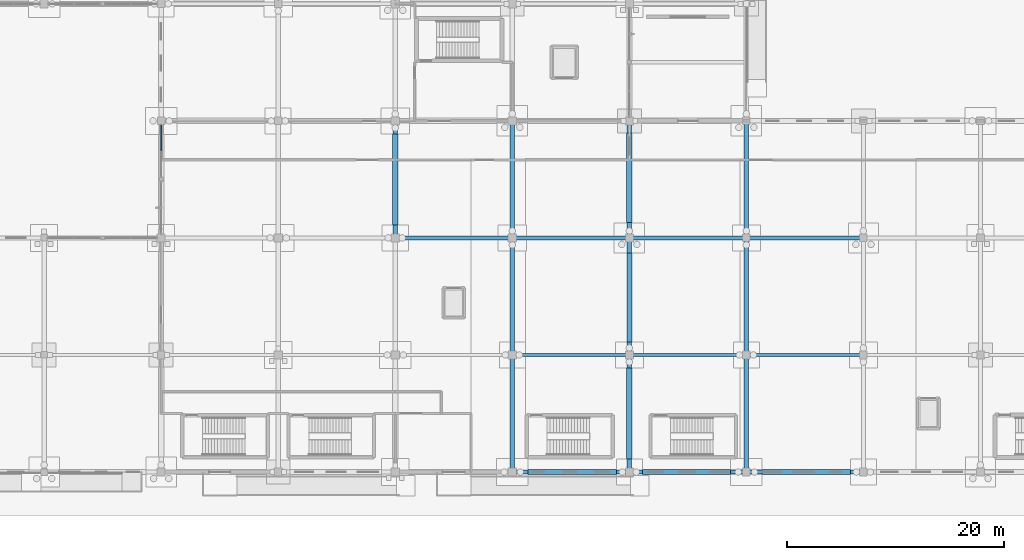
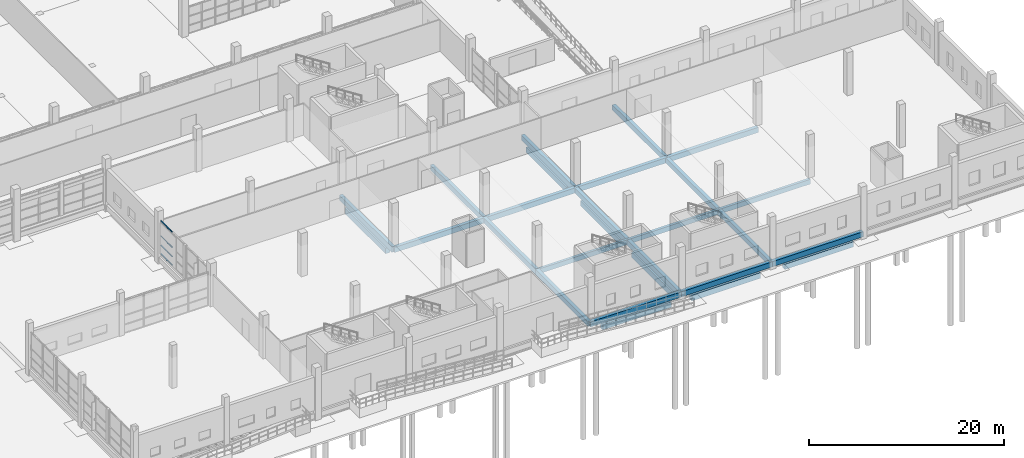
# One storey, part 60 of 138: 27 beams, 4 members, 1 element without a shape of its own.
"""IFC4 building model written with IfcOpenShell, lengths in metres."""

from ifc_helpers import new_model, si_unit, direction, frame, origin, origin_2d, place, context, subcontext, project, spatial, rectangle, extrude, material, material_profile, profile_set, type_object, element, aggregate, save


model = new_model("IFC4")

# Units and contexts
model_context = context("Model", 3, precision=1e-05, world=origin(), true_north=direction((0.0, 1.0)))
body_context = subcontext(model_context, "Body", "Model", "MODEL_VIEW")
ifc_project = project(units=[si_unit("LENGTHUNIT", "METRE"), si_unit("AREAUNIT", "SQUARE_METRE"), si_unit("VOLUMEUNIT", "CUBIC_METRE"), si_unit("PLANEANGLEUNIT", "RADIAN"), si_unit("MASSUNIT", "GRAM", prefix="KILO")], contexts=[model_context])

# Site, building, storey
site_placement = place(None, origin())
site = spatial("IfcSite", under=ifc_project, at=site_placement, CompositionType="ELEMENT")
building_placement = place(site_placement, origin())
building = spatial("IfcBuilding", under=site, at=building_placement, Name="Zwinboog Wholesale Market", CompositionType="ELEMENT")
storey_placement = place(building_placement, origin())
storey = spatial("IfcBuildingStorey", under=building, at=storey_placement, Name="L00", CompositionType="ELEMENT", Elevation=0.0)

# Beams
ifc_material_1 = material(Name="Precast concrete C45/55", Category="concrete")
ifc_material_profile_1 = material_profile(ifc_material_1, rectangle(XDim=0.39990234375, YDim=0.64990234375, at=origin_2d()), Name="PC 400x650")
ifc_profile_set_1 = profile_set([ifc_material_profile_1], Name="Precast concrete C45/55")
beam_type_1 = type_object("IfcBeamType", Name="BT-05", PredefinedType="BEAM", material=ifc_profile_set_1)
for number, where, z_axis, x_axis, name in (
    (1, (162.0, 0.0, -0.680908203125), (1.0, 0.0, 0.0), (0.0, 1.0, 0.0), "BG-05 (BMG-L00-1620-0000-0010)"),
    (2, (172.800048828125, 0.0, -0.680908203125), (1.0, 0.0, 0.0), (0.0, 1.0, 0.0), "BG-05 (BMG-L00-1728-0000-0011)"),
):
    element("IfcBeam", number, at=place(storey_placement, frame(where, z_axis=z_axis, x_axis=x_axis)), inside=storey, type_object=beam_type_1, Name=name, PredefinedType="BEAM", context=body_context, shape_type="SweptSolid", body=[
        extrude(rectangle(XDim=0.39990234375, YDim=0.64990234375, at=origin_2d()), origin(), (0.0, 0.0, 1.0), 10.800048828125),
    ])
beam_1_placement = place(storey_placement, frame((183.60009765625, 0.0, -0.680908203125), z_axis=(1.0, 0.0, 0.0), x_axis=(0.0, 1.0, 0.0)))
element("IfcBeam", 3, at=beam_1_placement, inside=storey, type_object=beam_type_1, Name="BG-05 (BMG-L00-1836-0000-0012)", PredefinedType="BEAM", context=body_context, shape_type="SweptSolid", body=[
    extrude(rectangle(XDim=0.39990234375, YDim=0.64990234375, at=origin_2d()), origin(), (0.0, 0.0, 1.0), 10.7998046875),
])
for number, where, z_axis, x_axis, name in (
    (4, (151.199951171875, 21.60009765625, -0.6669921875), (1.0, 0.0, 0.0), (0.0, 1.0, 0.0), "BG-05 (BMG-L00-1512-0216-0037)"),
    (5, (162.0, 21.60009765625, -0.680908203125), (1.0, 0.0, 0.0), (0.0, 1.0, 0.0), "BG-05 (BMG-L00-1620-0216-0038)"),
    (6, (172.800048828125, 21.60009765625, -0.680908203125), (1.0, 0.0, 0.0), (0.0, 1.0, 0.0), "BG-05 (BMG-L00-1728-0216-0039)"),
):
    element("IfcBeam", number, at=place(storey_placement, frame(where, z_axis=z_axis, x_axis=x_axis)), inside=storey, type_object=beam_type_1, Name=name, PredefinedType="BEAM", context=body_context, shape_type="SweptSolid", body=[
        extrude(rectangle(XDim=0.39990234375, YDim=0.64990234375, at=origin_2d()), origin(), (0.0, 0.0, 1.0), 10.800048828125),
    ])
for number, where, z_axis, x_axis, name in (
    (7, (183.60009765625, 21.60009765625, -0.680908203125), (1.0, 0.0, 0.0), (0.0, 1.0, 0.0), "BG-05 (BMG-L00-1836-0216-0040)"),
    (8, (151.199951171875, 21.60009765625, -0.6669921875), (0.0, 1.0, 0.0), (-1.0, 0.0, 0.0), "BG-05 (BMG-L00-1512-0216-0355)"),
):
    element("IfcBeam", number, at=place(storey_placement, frame(where, z_axis=z_axis, x_axis=x_axis)), inside=storey, type_object=beam_type_1, Name=name, PredefinedType="BEAM", context=body_context, shape_type="SweptSolid", body=[
        extrude(rectangle(XDim=0.39990234375, YDim=0.64990234375, at=origin_2d()), origin(), (0.0, 0.0, 1.0), 10.7998046875),
    ])
for number, where, z_axis, x_axis, name in (
    (9, (162.0, 0.0, -0.659912109375), (0.0, 1.0, 0.0), (-1.0, 0.0, 0.0), "BG-05 (BMG-L00-1620-0000-0365)"),
    (10, (162.0, 10.800048828125, -0.659912109375), (0.0, 1.0, 0.0), (-1.0, 0.0, 0.0), "BG-05 (BMG-L00-1620-0108-0366)"),
):
    element("IfcBeam", number, at=place(storey_placement, frame(where, z_axis=z_axis, x_axis=x_axis)), inside=storey, type_object=beam_type_1, Name=name, PredefinedType="BEAM", context=body_context, shape_type="SweptSolid", body=[
        extrude(rectangle(XDim=0.39990234375, YDim=0.64990234375, at=origin_2d()), origin(), (0.0, 0.0, 1.0), 10.800048828125),
    ])
beam_2_placement = place(storey_placement, frame((162.0, 21.60009765625, -0.659912109375), z_axis=(0.0, 1.0, 0.0), x_axis=(-1.0, 0.0, 0.0)))
element("IfcBeam", 11, at=beam_2_placement, inside=storey, type_object=beam_type_1, Name="BG-05 (BMG-L00-1620-0216-0367)", PredefinedType="BEAM", context=body_context, shape_type="SweptSolid", body=[
    extrude(rectangle(XDim=0.39990234375, YDim=0.64990234375, at=origin_2d()), origin(), (0.0, 0.0, 1.0), 10.7998046875),
])
for number, where, z_axis, x_axis, name in (
    (12, (172.800048828125, 0.0, -0.680908203125), (0.0, 1.0, 0.0), (-1.0, 0.0, 0.0), "BG-05 (BMG-L00-1728-0000-0377)"),
    (13, (172.800048828125, 10.800048828125, -0.680908203125), (0.0, 1.0, 0.0), (-1.0, 0.0, 0.0), "BG-05 (BMG-L00-1728-0108-0378)"),
):
    element("IfcBeam", number, at=place(storey_placement, frame(where, z_axis=z_axis, x_axis=x_axis)), inside=storey, type_object=beam_type_1, Name=name, PredefinedType="BEAM", context=body_context, shape_type="SweptSolid", body=[
        extrude(rectangle(XDim=0.39990234375, YDim=0.64990234375, at=origin_2d()), origin(), (0.0, 0.0, 1.0), 10.800048828125),
    ])
beam_3_placement = place(storey_placement, frame((172.800048828125, 21.60009765625, -0.680908203125), z_axis=(0.0, 1.0, 0.0), x_axis=(-1.0, 0.0, 0.0)))
element("IfcBeam", 14, at=beam_3_placement, inside=storey, type_object=beam_type_1, Name="BG-05 (BMG-L00-1728-0216-0379)", PredefinedType="BEAM", context=body_context, shape_type="SweptSolid", body=[
    extrude(rectangle(XDim=0.39990234375, YDim=0.64990234375, at=origin_2d()), origin(), (0.0, 0.0, 1.0), 10.7998046875),
])
for number, where, z_axis, x_axis, name in (
    (15, (183.60009765625, 0.0, -0.680908203125), (0.0, 1.0, 0.0), (-1.0, 0.0, 0.0), "BG-05 (BMG-L00-1836-0000-0389)"),
    (16, (183.60009765625, 10.800048828125, -0.680908203125), (0.0, 1.0, 0.0), (-1.0, 0.0, 0.0), "BG-05 (BMG-L00-1836-0108-0390)"),
):
    element("IfcBeam", number, at=place(storey_placement, frame(where, z_axis=z_axis, x_axis=x_axis)), inside=storey, type_object=beam_type_1, Name=name, PredefinedType="BEAM", context=body_context, shape_type="SweptSolid", body=[
        extrude(rectangle(XDim=0.39990234375, YDim=0.64990234375, at=origin_2d()), origin(), (0.0, 0.0, 1.0), 10.800048828125),
    ])
beam_4_placement = place(storey_placement, frame((183.60009765625, 21.60009765625, -0.680908203125), z_axis=(0.0, 1.0, 0.0), x_axis=(-1.0, 0.0, 0.0)))
element("IfcBeam", 17, at=beam_4_placement, inside=storey, type_object=beam_type_1, Name="BG-05 (BMG-L00-1836-0216-0391)", PredefinedType="BEAM", context=body_context, shape_type="SweptSolid", body=[
    extrude(rectangle(XDim=0.39990234375, YDim=0.64990234375, at=origin_2d()), origin(), (0.0, 0.0, 1.0), 10.7998046875),
])
ifc_material_profile_2 = material_profile(ifc_material_1, rectangle(XDim=0.300048828125, YDim=0.60009765625, at=origin_2d()), Name="PC 300x600")
ifc_profile_set_2 = profile_set([ifc_material_profile_2], Name="Precast concrete C45/55")
beam_type_2 = type_object("IfcBeamType", Name="BT-09", PredefinedType="SPANDREL", material=ifc_profile_set_2)
for number, where, z_axis, x_axis, name in (
    (18, (162.0, 10.800048828125, -0.656005859375), (1.0, 0.0, 0.0), (0.0, 1.0, 0.0), "SP-02 (BMG-L00-1620-0108-0024)"),
    (19, (172.800048828125, 10.800048828125, -0.656005859375), (1.0, 0.0, 0.0), (0.0, 1.0, 0.0), "SP-02 (BMG-L00-1728-0108-0025)"),
):
    element("IfcBeam", number, at=place(storey_placement, frame(where, z_axis=z_axis, x_axis=x_axis)), inside=storey, type_object=beam_type_2, Name=name, PredefinedType="SPANDREL", context=body_context, shape_type="SweptSolid", body=[
        extrude(rectangle(XDim=0.300048828125, YDim=0.60009765625, at=origin_2d()), origin(), (0.0, 0.0, 1.0), 10.800048828125),
    ])
beam_5_placement = place(storey_placement, frame((183.60009765625, 10.800048828125, -0.656005859375), z_axis=(1.0, 0.0, 0.0), x_axis=(0.0, 1.0, 0.0)))
element("IfcBeam", 20, at=beam_5_placement, inside=storey, type_object=beam_type_2, Name="SP-02 (BMG-L00-1836-0108-0026)", PredefinedType="SPANDREL", context=body_context, shape_type="SweptSolid", body=[
    extrude(rectangle(XDim=0.300048828125, YDim=0.60009765625, at=origin_2d()), origin(), (0.0, 0.0, 1.0), 10.7998046875),
])
ifc_material_2 = material(Name="Concrete C35/45", Category="concrete")
ifc_material_profile_3 = material_profile(ifc_material_2, rectangle(XDim=0.5, YDim=0.699951171875, at=origin_2d()), Name="RC 500x700")
ifc_profile_set_3 = profile_set([ifc_material_profile_3], Name="Concrete C35/45")
beam_type_3 = type_object("IfcBeamType", Name="BT-12", PredefinedType="USERDEFINED", material=ifc_profile_set_3)
beam_6_placement = place(storey_placement, frame((174.0048828125, 0.0, -1.550048828125), z_axis=(1.0, 0.0, 0.0), x_axis=(0.0, 1.0, 0.0)))
element("IfcBeam", 21, at=beam_6_placement, inside=storey, type_object=beam_type_3, Name="GB-01 (BM-GB-0011)", ObjectType="GROUND_BEAM", PredefinedType="USERDEFINED", context=body_context, shape_type="SweptSolid", body=[
    extrude(rectangle(XDim=0.5, YDim=0.699951171875, at=origin_2d()), origin(), (0.0, 0.0, 1.0), 8.14013671875),
])
beam_7_placement = place(storey_placement, frame((151.199951171875, 22.804931640625, -1.550048828125), z_axis=(0.0, 1.0, 0.0), x_axis=(-1.0, 0.0, 0.0)))
element("IfcBeam", 22, at=beam_7_placement, inside=storey, type_object=beam_type_3, Name="GB-01 (BM-GB-0186)", ObjectType="GROUND_BEAM", PredefinedType="USERDEFINED", context=body_context, shape_type="SweptSolid", body=[
    extrude(rectangle(XDim=0.5, YDim=0.699951171875, at=origin_2d()), origin(), (0.0, 0.0, 1.0), 8.39013671875),
])
beam_8_placement = place(storey_placement, frame((172.800048828125, 1.205078125, -1.550048828125), z_axis=(0.0, 1.0, 0.0), x_axis=(-1.0, 0.0, 0.0)))
element("IfcBeam", 23, at=beam_8_placement, inside=storey, type_object=beam_type_3, Name="GB-01 (BM-GB-0196)", ObjectType="GROUND_BEAM", PredefinedType="USERDEFINED", context=body_context, shape_type="SweptSolid", body=[
    extrude(rectangle(XDim=0.5, YDim=0.699951171875, at=origin_2d()), origin(), (0.0, 0.0, 1.0), 8.389892578125),
])
beam_9_placement = place(storey_placement, frame((172.800048828125, 23.0048828125, -1.550048828125), z_axis=(0.0, 1.0, 0.0), x_axis=(-1.0, 0.0, 0.0)))
element("IfcBeam", 24, at=beam_9_placement, inside=storey, type_object=beam_type_3, Name="GB-01 (BM-GB-0198)", ObjectType="GROUND_BEAM", PredefinedType="USERDEFINED", context=body_context, shape_type="SweptSolid", body=[
    extrude(rectangle(XDim=0.5, YDim=0.699951171875, at=origin_2d()), origin(), (0.0, 0.0, 1.0), 8.2900390625),
])
ifc_material_profile_4 = material_profile(ifc_material_2, rectangle(XDim=0.449951171875, YDim=0.64990234375, at=origin_2d()), Name="RC 450x650")
ifc_profile_set_4 = profile_set([ifc_material_profile_4], Name="Concrete C35/45")
beam_type_4 = type_object("IfcBeamType", Name="BT-13", PredefinedType="USERDEFINED", material=ifc_profile_set_4)
beam_10_placement = place(storey_placement, frame((163.455078125, 0.0, -1.52490234375), z_axis=(1.0, 0.0, 0.0), x_axis=(0.0, 1.0, 0.0)))
element("IfcBeam", 25, at=beam_10_placement, inside=storey, type_object=beam_type_4, Name="GB-02 (BM-GB-0010)", ObjectType="GROUND_BEAM", PredefinedType="USERDEFINED", context=body_context, shape_type="SweptSolid", body=[
    extrude(rectangle(XDim=0.449951171875, YDim=0.64990234375, at=origin_2d()), origin(), (0.0, 0.0, 1.0), 8.139892578125),
])
beam_11_placement = place(storey_placement, frame((185.054931640625, 0.0, -1.52490234375), z_axis=(1.0, 0.0, 0.0), x_axis=(0.0, 1.0, 0.0)))
element("IfcBeam", 26, at=beam_11_placement, inside=storey, type_object=beam_type_4, Name="GB-02 (BM-GB-0012)", ObjectType="GROUND_BEAM", PredefinedType="USERDEFINED", context=body_context, shape_type="SweptSolid", body=[
    extrude(rectangle(XDim=0.449951171875, YDim=0.64990234375, at=origin_2d()), origin(), (0.0, 0.0, 1.0), 8.14013671875),
])
beam_12_placement = place(storey_placement, frame((172.800048828125, 12.0048828125, -1.52490234375), z_axis=(0.0, 1.0, 0.0), x_axis=(-1.0, 0.0, 0.0)))
element("IfcBeam", 27, at=beam_12_placement, inside=storey, type_object=beam_type_4, Name="GB-02 (BM-GB-0197)", ObjectType="GROUND_BEAM", PredefinedType="USERDEFINED", context=body_context, shape_type="SweptSolid", body=[
    extrude(rectangle(XDim=0.449951171875, YDim=0.64990234375, at=origin_2d()), origin(), (0.0, 0.0, 1.0), 8.190185546875),
])

# Curtain wall, members
ifc_material_3 = material(Name="Aluminium thermally broken curtain wall", Category="aluminium")
curtain_wall_type = type_object("IfcCurtainWallType", Name="CWT-GAL-16", PredefinedType="USERDEFINED", material=ifc_material_3)
curtain_wall_placement = place(storey_placement, origin())
curtain_wall = element("IfcCurtainWall", 28, at=curtain_wall_placement, inside=storey, type_object=curtain_wall_type, Name="CW-04 (CW-L00-046)", ObjectType="UNITIZED_CURTAIN_WALL", PredefinedType="USERDEFINED")
ifc_material_4 = material(Name="Aluminium EN AW-6060", Category="aluminium")
ifc_material_profile_5 = material_profile(ifc_material_4, rectangle(XDim=0.110107421875, YDim=0.06005859375, at=origin_2d()), Name="AL 60x110")
ifc_profile_set_5 = profile_set([ifc_material_profile_5], Name="Aluminium EN AW-6060")
member_type = type_object("IfcMemberType", Name="CWT-60x110", PredefinedType="USERDEFINED", material=ifc_profile_set_5)
member_1_placement = place(storey_placement, frame((129.60009765625, 29.657470703125, 0.030029296875), z_axis=(0.0, 1.0, 0.0), x_axis=(-1.0, 0.0, 0.0)))
member_1 = element("IfcMember", 29, at=member_1_placement, type_object=member_type, Name="CW-04 transom 2.1", ObjectType="TRANSOM", PredefinedType="USERDEFINED", context=body_context, shape_type="SweptSolid", body=[
    extrude(rectangle(XDim=0.110107421875, YDim=0.06005859375, at=origin_2d()), origin(), (0.0, 0.0, 1.0), 2.337646484375),
])
member_2_placement = place(storey_placement, frame((129.60009765625, 29.657470703125, 1.10009765625), z_axis=(0.0, 1.0, 0.0), x_axis=(-1.0, 0.0, 0.0)))
member_2 = element("IfcMember", 30, at=member_2_placement, type_object=member_type, Name="CW-04 transom 2.2", ObjectType="TRANSOM", PredefinedType="USERDEFINED", context=body_context, shape_type="SweptSolid", body=[
    extrude(rectangle(XDim=0.110107421875, YDim=0.06005859375, at=origin_2d()), origin(), (0.0, 0.0, 1.0), 2.337646484375),
])
member_3_placement = place(storey_placement, frame((129.60009765625, 29.657470703125, 2.25), z_axis=(0.0, 1.0, 0.0), x_axis=(-1.0, 0.0, 0.0)))
member_3 = element("IfcMember", 31, at=member_3_placement, type_object=member_type, Name="CW-04 transom 2.3", ObjectType="TRANSOM", PredefinedType="USERDEFINED", context=body_context, shape_type="SweptSolid", body=[
    extrude(rectangle(XDim=0.110107421875, YDim=0.06005859375, at=origin_2d()), origin(), (0.0, 0.0, 1.0), 2.337646484375),
])
member_4_placement = place(storey_placement, frame((129.60009765625, 29.657470703125, 4.16796875), z_axis=(0.0, 1.0, 0.0), x_axis=(-1.0, 0.0, 0.0)))
member_4 = element("IfcMember", 32, at=member_4_placement, type_object=member_type, Name="CW-04 transom 2.4", ObjectType="TRANSOM", PredefinedType="USERDEFINED", context=body_context, shape_type="SweptSolid", body=[
    extrude(rectangle(XDim=0.110107421875, YDim=0.06005859375, at=origin_2d()), origin(), (0.0, 0.0, 1.0), 2.337646484375),
])
aggregate(curtain_wall, [member_1, member_2, member_3, member_4])

save(model, "model.ifc")
